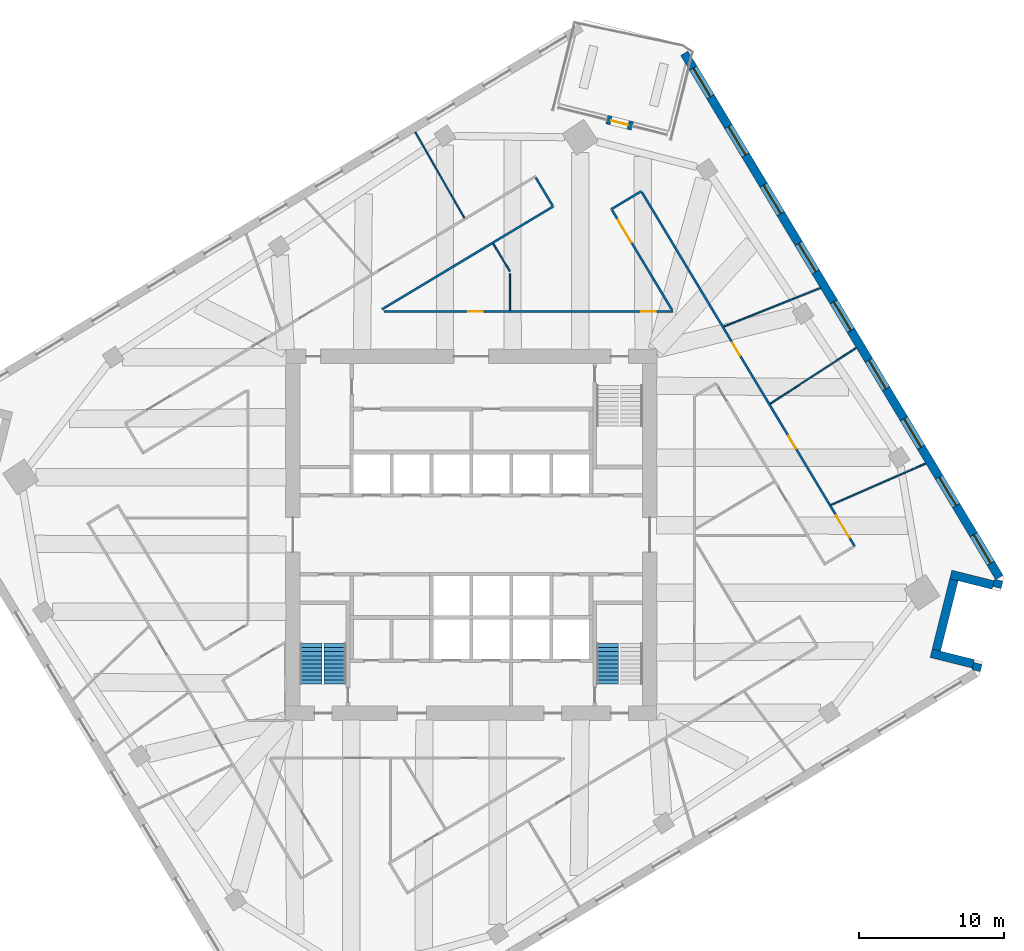
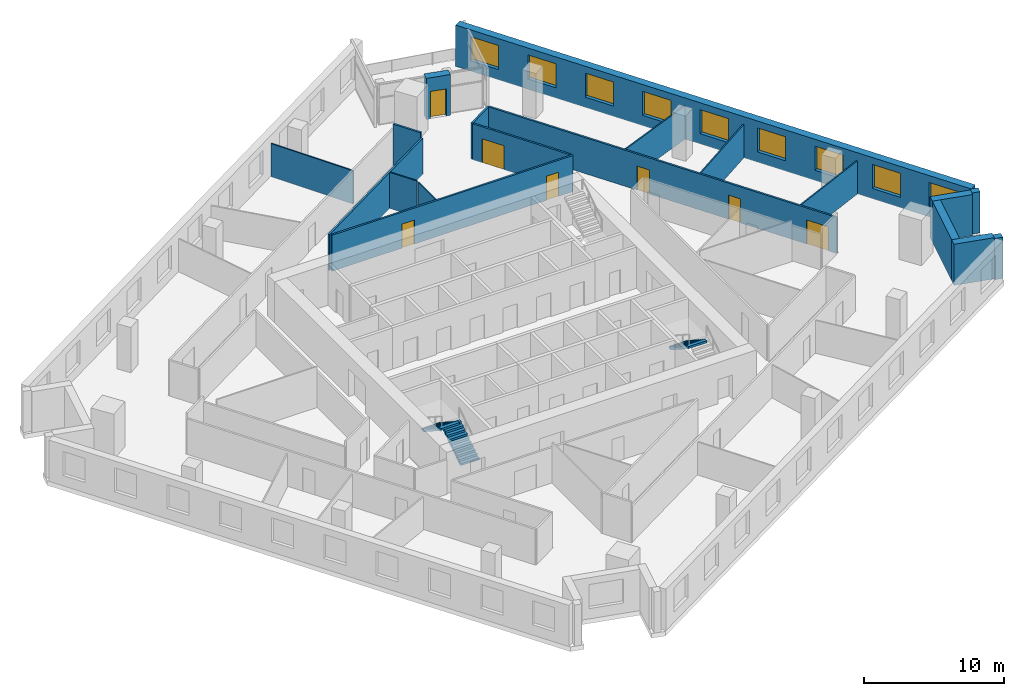
# One storey, part 10 of 14: 19 walls, 9 windows, 7 doors, 3 stair flights, 16 openings, 2 elements without a shape of their own.
"""IFC4 building model written with IfcOpenShell, lengths in metres."""

from ifc_helpers import new_model, si_unit, direction, frame, frame_2d, origin, place, context, subcontext, project, spatial, polyline, rectangle, outline, extrude, material, layer, layer_set, type_object, element, fill, aggregate, save


model = new_model("IFC4")

# Units and contexts
model_context = context("Model", 3, precision=1e-05, world=origin(), true_north=direction((0.0, 1.0)))
body_context = subcontext(model_context, "Body", "Model", "MODEL_VIEW")
ifc_project = project(units=[si_unit("LENGTHUNIT", "METRE"), si_unit("AREAUNIT", "SQUARE_METRE"), si_unit("VOLUMEUNIT", "CUBIC_METRE"), si_unit("PLANEANGLEUNIT", "RADIAN"), si_unit("MASSUNIT", "GRAM", prefix="KILO")], contexts=[model_context])

# Site, building, storey
site_placement = place(None, origin())
site = spatial("IfcSite", under=ifc_project, at=site_placement, CompositionType="ELEMENT")
building_placement = place(site_placement, origin())
building = spatial("IfcBuilding", under=site, at=building_placement, Name="Dilmun Exchange Tower", CompositionType="ELEMENT")
storey_placement = place(building_placement, frame((0.0, 0.0, 147.699951171875)))
storey = spatial("IfcBuildingStorey", under=building, at=storey_placement, Name="L34", CompositionType="ELEMENT", Elevation=147.699951171875)

# Wall
ifc_material_1 = material(Name="Corridor wall 150")
ifc_layer_1 = layer(ifc_material_1, 0.14990234375)
ifc_layer_set_1 = layer_set([ifc_layer_1], Name="Corridor wall 150")
wall_type_1 = type_object("IfcWallType", Name="Corridor wall 150", PredefinedType="PARTITIONING", material=ifc_layer_set_1)
wall_1_placement = place(storey_placement, frame((-6.15966796875, 15.5517578125, 0.0), z_axis=(0.0, 0.0, 1.0), x_axis=(0.857176686564, 0.51502245389, 0.0)))
element("IfcWall", 1, at=wall_1_placement, inside=storey, type_object=wall_type_1, Name="Corridor wall", PredefinedType="PARTITIONING", context=body_context, shape_type="SweptSolid", body=[
    extrude(rectangle(XDim=13.76708984375, YDim=0.14990234375, at=frame_2d((6.883544921875, 0.0))), origin(), (0.0, 0.0, 1.0), 3.150146484375),
])

# Wall, openings, doors
wall_2_placement = place(storey_placement, frame((-6.023193359375, 15.39990234375, 0.0), z_axis=(0.0, 0.0, 1.0), x_axis=(1.0, 0.0, 0.0)))
wall_2 = element("IfcWall", 2, at=wall_2_placement, inside=storey, type_object=wall_type_1, Name="Corridor wall", PredefinedType="PARTITIONING", context=body_context, shape_type="SweptSolid", body=[
    extrude(rectangle(XDim=19.93115234375, YDim=0.14990234375, at=frame_2d((9.965576171875, 0.0))), origin(), (0.0, 0.0, 1.0), 3.150146484375),
])
opening_1_placement = place(wall_2_placement, frame((5.800048828125, 0.0, 0.0)))
opening_1 = element("IfcOpeningElement", 3, at=opening_1_placement, cuts=wall_2, Name="Opening TF34-D12", PredefinedType="OPENING", context=body_context, shape_type="SweptSolid", body=[
    extrude(rectangle(XDim=1.0, YDim=2.10009765625, at=frame_2d((0.5, 1.050048828125))), frame((0.0, 0.0849609375, 0.0), z_axis=(0.0, -1.0, 0.0), x_axis=(1.0, 0.0, 0.0)), (0.0, 0.0, 1.0), 0.169921875),
])
opening_2_placement = place(wall_2_placement, frame((17.730224609375, 0.0, 0.0)))
opening_2 = element("IfcOpeningElement", 4, at=opening_2_placement, cuts=wall_2, Name="Opening TF34-D15", PredefinedType="OPENING", context=body_context, shape_type="SweptSolid", body=[
    extrude(rectangle(XDim=1.0, YDim=2.10009765625, at=frame_2d((0.5, 1.050048828125))), frame((0.0, 0.0849609375, 0.0), z_axis=(0.0, -1.0, 0.0), x_axis=(1.0, 0.0, 0.0)), (0.0, 0.0, 1.0), 0.169921875),
])
ifc_material_2 = material(Name="Fire door 1000 x 2100")
door_type_1 = type_object("IfcDoorType", Name="Fire door 1000 x 2100", OperationType="NOTDEFINED", PredefinedType="DOOR", material=ifc_material_2)
door_1_placement = place(opening_1_placement, origin())
door_1 = element("IfcDoor", 5, at=door_1_placement, inside=storey, type_object=door_type_1, Name="Door TF34-D12", OperationType="SINGLE_SWING_RIGHT", OverallHeight=2.10009765625, OverallWidth=1.0, PredefinedType="DOOR", context=body_context, shape_type="SweptSolid", body=[
    extrude(rectangle(XDim=1.0, YDim=2.10009765625, at=frame_2d((0.5, 1.050048828125))), frame((0.0, 0.02490234375, 0.0), z_axis=(0.0, -1.0, 0.0), x_axis=(1.0, 0.0, 0.0)), (0.0, 0.0, 1.0), 0.050048828125),
])
fill(opening_1, door_1)
door_2_placement = place(opening_2_placement, origin())
door_2 = element("IfcDoor", 6, at=door_2_placement, inside=storey, type_object=door_type_1, Name="Door TF34-D15", OperationType="SINGLE_SWING_RIGHT", OverallHeight=2.10009765625, OverallWidth=1.0, PredefinedType="DOOR", context=body_context, shape_type="SweptSolid", body=[
    extrude(rectangle(XDim=1.0, YDim=2.10009765625, at=frame_2d((0.5, 1.050048828125))), frame((0.0, 0.02490234375, 0.0), z_axis=(0.0, -1.0, 0.0), x_axis=(1.0, 0.0, 0.0)), (0.0, 0.0, 1.0), 0.050048828125),
])
fill(opening_2, door_2)

# Walls
wall_3_placement = place(storey_placement, frame((4.443603515625, 24.6357421875, 0.0), z_axis=(0.0, 0.0, 1.0), x_axis=(0.514830717933, -0.857291859213, 0.0)))
element("IfcWall", 7, at=wall_3_placement, inside=storey, type_object=wall_type_1, Name="Corridor wall", PredefinedType="PARTITIONING", context=body_context, shape_type="SweptSolid", body=[
    extrude(rectangle(XDim=2.250732421875, YDim=0.14990234375, at=frame_2d((1.12548828125, 0.0))), origin(), (0.0, 0.0, 1.0), 3.60009765625),
])
wall_4_placement = place(storey_placement, frame((9.6650390625, 22.4609375, 0.0), z_axis=(0.0, 0.0, 1.0), x_axis=(0.857133645358, 0.515094082664, 0.0)))
element("IfcWall", 8, at=wall_4_placement, inside=storey, type_object=wall_type_1, Name="Corridor wall", PredefinedType="PARTITIONING", context=body_context, shape_type="SweptSolid", body=[
    extrude(rectangle(XDim=2.399658203125, YDim=0.14990234375, at=frame_2d((1.19970703125, 0.0))), origin(), (0.0, 0.0, 1.0), 3.150146484375),
])

# Wall, opening, door
wall_5_placement = place(storey_placement, frame((9.70361328125, 22.396728515625, 0.0), z_axis=(0.0, 0.0, 1.0), x_axis=(0.51505899604, -0.857154729671, 0.0)))
wall_5 = element("IfcWall", 9, at=wall_5_placement, inside=storey, type_object=wall_type_1, Name="Corridor wall", PredefinedType="PARTITIONING", context=body_context, shape_type="SweptSolid", body=[
    extrude(rectangle(XDim=8.030029296875, YDim=0.14990234375, at=frame_2d((4.01513671875, 0.0))), origin(), (0.0, 0.0, 1.0), 3.150146484375),
])
opening_3_placement = place(wall_5_placement, frame((0.800048828125, 0.0, 0.0)))
opening_3 = element("IfcOpeningElement", 10, at=opening_3_placement, cuts=wall_5, Name="Opening TF34-D14", PredefinedType="OPENING", context=body_context, shape_type="SweptSolid", body=[
    extrude(rectangle(XDim=1.800048828125, YDim=2.10009765625, at=frame_2d((0.89990234375, 1.050048828125))), frame((0.0, 0.0849609375, 0.0), z_axis=(0.0, -1.0, 0.0), x_axis=(1.0, 0.0, 0.0)), (0.0, 0.0, 1.0), 0.169921875),
])
ifc_material_3 = material(Name="Fire door pair 1800 x 2100")
door_type_2 = type_object("IfcDoorType", Name="Fire door pair 1800 x 2100", OperationType="NOTDEFINED", PredefinedType="DOOR", material=ifc_material_3)
door_3_placement = place(opening_3_placement, frame((1.800048828125, 0.0, 0.0), z_axis=(0.0, 0.0, 1.0), x_axis=(-1.0, 0.0, 0.0)))
door_3 = element("IfcDoor", 11, at=door_3_placement, inside=storey, type_object=door_type_2, Name="Door TF34-D14", OperationType="DOUBLE_DOOR_SINGLE_SWING", OverallHeight=2.10009765625, OverallWidth=1.800048828125, PredefinedType="DOOR", context=body_context, shape_type="SweptSolid", body=[
    extrude(rectangle(XDim=1.800048828125, YDim=2.10009765625, at=frame_2d((0.89990234375, 1.050048828125))), frame((0.0, 0.02490234375, 0.0), z_axis=(0.0, -1.0, 0.0), x_axis=(1.0, 0.0, 0.0)), (0.0, 0.0, 1.0), 0.050048828125),
])
fill(opening_3, door_3)

# Wall, openings, doors
wall_6_placement = place(storey_placement, frame((11.760498046875, 23.6328125, 0.0), z_axis=(0.0, 0.0, 1.0), x_axis=(0.515060503771, -0.857153823684, 0.0)))
wall_6 = element("IfcWall", 12, at=wall_6_placement, inside=storey, type_object=wall_type_1, Name="Corridor wall", PredefinedType="PARTITIONING", context=body_context, shape_type="SweptSolid", body=[
    extrude(rectangle(XDim=28.475341796875, YDim=0.14990234375, at=frame_2d((14.23779296875, 0.0))), origin(), (0.0, 0.0, 1.0), 3.150146484375),
])
opening_4_placement = place(wall_6_placement, frame((12.149169921875, 0.0, 0.0)))
opening_4 = element("IfcOpeningElement", 13, at=opening_4_placement, cuts=wall_6, Name="Opening TF34-D21", PredefinedType="OPENING", context=body_context, shape_type="SweptSolid", body=[
    extrude(rectangle(XDim=1.0, YDim=2.10009765625, at=frame_2d((0.5, 1.050048828125))), frame((0.0, 0.0849609375, 0.0), z_axis=(0.0, -1.0, 0.0), x_axis=(1.0, 0.0, 0.0)), (0.0, 0.0, 1.0), 0.169921875),
])
opening_5_placement = place(wall_6_placement, frame((19.620361328125, 0.0, 0.0)))
opening_5 = element("IfcOpeningElement", 14, at=opening_5_placement, cuts=wall_6, Name="Opening TF34-D22", PredefinedType="OPENING", context=body_context, shape_type="SweptSolid", body=[
    extrude(rectangle(XDim=1.0, YDim=2.10009765625, at=frame_2d((0.5, 1.050048828125))), frame((0.0, 0.0849609375, 0.0), z_axis=(0.0, -1.0, 0.0), x_axis=(1.0, 0.0, 0.0)), (0.0, 0.0, 1.0), 0.169921875),
])
opening_6_placement = place(wall_6_placement, frame((26.005126953125, 0.0, 0.0)))
opening_6 = element("IfcOpeningElement", 15, at=opening_6_placement, cuts=wall_6, Name="Opening TF34-D23", PredefinedType="OPENING", context=body_context, shape_type="SweptSolid", body=[
    extrude(rectangle(XDim=1.800048828125, YDim=2.10009765625, at=frame_2d((0.89990234375, 1.050048828125))), frame((0.0, 0.0849609375, 0.0), z_axis=(0.0, -1.0, 0.0), x_axis=(1.0, 0.0, 0.0)), (0.0, 0.0, 1.0), 0.169921875),
])
door_4_placement = place(opening_4_placement, origin())
door_4 = element("IfcDoor", 16, at=door_4_placement, inside=storey, type_object=door_type_1, Name="Door TF34-D21", OperationType="SINGLE_SWING_LEFT", OverallHeight=2.10009765625, OverallWidth=1.0, PredefinedType="DOOR", context=body_context, shape_type="SweptSolid", body=[
    extrude(rectangle(XDim=1.0, YDim=2.10009765625, at=frame_2d((0.5, 1.050048828125))), frame((0.0, 0.02490234375, 0.0), z_axis=(0.0, -1.0, 0.0), x_axis=(1.0, 0.0, 0.0)), (0.0, 0.0, 1.0), 0.050048828125),
])
fill(opening_4, door_4)
door_5_placement = place(opening_5_placement, origin())
door_5 = element("IfcDoor", 17, at=door_5_placement, inside=storey, type_object=door_type_1, Name="Door TF34-D22", OperationType="SINGLE_SWING_LEFT", OverallHeight=2.10009765625, OverallWidth=1.0, PredefinedType="DOOR", context=body_context, shape_type="SweptSolid", body=[
    extrude(rectangle(XDim=1.0, YDim=2.10009765625, at=frame_2d((0.5, 1.050048828125))), frame((0.0, 0.02490234375, 0.0), z_axis=(0.0, -1.0, 0.0), x_axis=(1.0, 0.0, 0.0)), (0.0, 0.0, 1.0), 0.050048828125),
])
fill(opening_5, door_5)
door_6_placement = place(opening_6_placement, origin())
door_6 = element("IfcDoor", 18, at=door_6_placement, inside=storey, type_object=door_type_2, Name="Door TF34-D23", OperationType="DOUBLE_DOOR_SINGLE_SWING", OverallHeight=2.10009765625, OverallWidth=1.800048828125, PredefinedType="DOOR", context=body_context, shape_type="SweptSolid", body=[
    extrude(rectangle(XDim=1.800048828125, YDim=2.10009765625, at=frame_2d((0.89990234375, 1.050048828125))), frame((0.0, 0.02490234375, 0.0), z_axis=(0.0, -1.0, 0.0), x_axis=(1.0, 0.0, 0.0)), (0.0, 0.0, 1.0), 0.050048828125),
])
fill(opening_6, door_6)

# Walls
ifc_material_4 = material(Name="Partition 100")
ifc_layer_2 = layer(ifc_material_4, 0.10009765625)
ifc_layer_set_2 = layer_set([ifc_layer_2], Name="Partition 100")
wall_type_2 = type_object("IfcWallType", Name="Partition 100", PredefinedType="PARTITIONING", material=ifc_layer_set_2)
wall_7_placement = place(storey_placement, frame((-3.86865234375, 27.772216796875, 0.0), z_axis=(0.0, 0.0, 1.0), x_axis=(0.496921350826, -0.867795581398, 0.0)))
element("IfcWall", 19, at=wall_7_placement, inside=storey, type_object=wall_type_2, Name="Partition", PredefinedType="PARTITIONING", context=body_context, shape_type="SweptSolid", body=[
    extrude(rectangle(XDim=6.81982421875, YDim=0.10009765625, at=frame_2d((3.409912109375, 0.0))), origin(), (0.0, 0.0, 1.0), 2.900146484375),
])
wall_8_placement = place(storey_placement, frame((1.515625, 20.07568359375, 0.0), z_axis=(0.0, 0.0, 1.0), x_axis=(0.515208669109, -0.857064774259, 0.0)))
element("IfcWall", 20, at=wall_8_placement, inside=storey, type_object=wall_type_2, Name="Partition", PredefinedType="PARTITIONING", context=body_context, shape_type="SweptSolid", body=[
    extrude(rectangle(XDim=2.21533203125, YDim=0.10009765625, at=frame_2d((1.107666015625, 0.0))), origin(), (0.0, 0.0, 1.0), 3.150146484375),
])
wall_9_placement = place(storey_placement, frame((2.656982421875, 15.47509765625, 0.0), z_axis=(0.0, 0.0, 1.0), x_axis=(0.0, 1.0, 0.0)))
element("IfcWall", 21, at=wall_9_placement, inside=storey, type_object=wall_type_2, Name="Partition", PredefinedType="PARTITIONING", context=body_context, shape_type="SweptSolid", body=[
    extrude(rectangle(XDim=2.521728515625, YDim=0.10009765625, at=frame_2d((1.2607421875, 0.0))), origin(), (0.0, 0.0, 1.0), 3.150146484375),
])
wall_10_placement = place(storey_placement, frame((17.427001953125, 14.3642578125, 0.0), z_axis=(0.0, 0.0, 1.0), x_axis=(0.928344828439, 0.371720162906, 0.0)))
element("IfcWall", 22, at=wall_10_placement, inside=storey, type_object=wall_type_2, Name="Partition", PredefinedType="PARTITIONING", context=body_context, shape_type="SweptSolid", body=[
    extrude(rectangle(XDim=7.15380859375, YDim=0.10009765625, at=frame_2d((3.576904296875, 0.0))), origin(), (0.0, 0.0, 1.0), 2.900146484375),
])
wall_11_placement = place(storey_placement, frame((20.618408203125, 9.041748046875, 0.0), z_axis=(0.0, 0.0, 1.0), x_axis=(0.838556384035, 0.544814822479, 0.0)))
element("IfcWall", 23, at=wall_11_placement, inside=storey, type_object=wall_type_2, Name="Partition", PredefinedType="PARTITIONING", context=body_context, shape_type="SweptSolid", body=[
    extrude(rectangle(XDim=7.072265625, YDim=0.10009765625, at=frame_2d((3.5361328125, 0.0))), origin(), (0.0, 0.0, 1.0), 2.900146484375),
])
wall_12_placement = place(storey_placement, frame((24.818115234375, 2.060791015625, 0.0), z_axis=(0.0, 0.0, 1.0), x_axis=(0.915839969102, 0.401543460905, 0.0)))
element("IfcWall", 24, at=wall_12_placement, inside=storey, type_object=wall_type_2, Name="Partition", PredefinedType="PARTITIONING", context=body_context, shape_type="SweptSolid", body=[
    extrude(rectangle(XDim=7.12158203125, YDim=0.10009765625, at=frame_2d((3.560791015625, 0.0))), origin(), (0.0, 0.0, 1.0), 2.900146484375),
])
ifc_material_5 = material(Name="Precast concrete C50/60", Category="concrete")
ifc_layer_3 = layer(ifc_material_5, 0.60009765625)
ifc_layer_set_3 = layer_set([ifc_layer_3], Name="Precast concrete C50/60")
wall_type_3 = type_object("IfcWallType", Name="Precast stone-clad wall 600", PredefinedType="STANDARD", material=ifc_layer_set_3)
wall_13_placement = place(storey_placement, frame((34.8134765625, -9.3662109375, 0.0), z_axis=(0.0, 0.0, 1.0), x_axis=(0.242086198947, 0.970254746074, 0.0)))
element("IfcWall", 25, at=wall_13_placement, inside=storey, type_object=wall_type_3, Name="Facade wall L34-16", PredefinedType="STANDARD", context=body_context, shape_type="SweptSolid", body=[
    extrude(rectangle(XDim=0.51123046875, YDim=0.60009765625, at=frame_2d((0.255615234375, 0.0))), origin(), (0.0, 0.0, 1.0), 3.60009765625),
])
wall_14_placement = place(storey_placement, frame((34.6220703125, -8.894287109375, 0.0), z_axis=(0.0, 0.0, 1.0), x_axis=(-0.970309818485, 0.241865367822, 0.0)))
element("IfcWall", 26, at=wall_14_placement, inside=storey, type_object=wall_type_3, Name="Facade wall L34-17", PredefinedType="STANDARD", context=body_context, shape_type="SweptSolid", body=[
    extrude(rectangle(XDim=3.0, YDim=0.60009765625, at=frame_2d((1.5, 0.0))), origin(), (0.0, 0.0, 1.0), 3.60009765625),
])
wall_15_placement = place(storey_placement, frame((32.07470703125, -7.9501953125, 0.0), z_axis=(0.0, 0.0, 1.0), x_axis=(0.241892195562, 0.970303130844, 0.0)))
element("IfcWall", 27, at=wall_15_placement, inside=storey, type_object=wall_type_3, Name="Facade wall L34-18", PredefinedType="STANDARD", context=body_context, shape_type="SweptSolid", body=[
    extrude(rectangle(XDim=5.0, YDim=0.60009765625, at=frame_2d((2.5, 0.0))), origin(), (0.0, 0.0, 1.0), 3.60009765625),
])
wall_16_placement = place(storey_placement, frame((33.06591796875, -2.735107421875, 0.0), z_axis=(0.0, 0.0, 1.0), x_axis=(0.970309818485, -0.241865367822, 0.0)))
element("IfcWall", 28, at=wall_16_placement, inside=storey, type_object=wall_type_3, Name="Facade wall L34-19", PredefinedType="STANDARD", context=body_context, shape_type="SweptSolid", body=[
    extrude(rectangle(XDim=3.0, YDim=0.60009765625, at=frame_2d((1.5, 0.0))), origin(), (0.0, 0.0, 1.0), 3.60009765625),
])
wall_17_placement = place(storey_placement, frame((36.24365234375, -3.63037109375, 0.0), z_axis=(0.0, 0.0, 1.0), x_axis=(0.241636616978, 0.970366809683, 0.0)))
element("IfcWall", 29, at=wall_17_placement, inside=storey, type_object=wall_type_3, Name="Facade wall L34-20", PredefinedType="STANDARD", context=body_context, shape_type="SweptSolid", body=[
    extrude(rectangle(XDim=0.51123046875, YDim=0.60009765625, at=frame_2d((0.255615234375, 0.0))), origin(), (0.0, 0.0, 1.0), 3.60009765625),
])

# Wall, openings, windows
wall_18_placement = place(storey_placement, frame((36.415771484375, -2.940185546875, 0.0), z_axis=(0.0, 0.0, 1.0), x_axis=(-0.515039615037, 0.857166375299, 0.0)))
wall_18 = element("IfcWall", 30, at=wall_18_placement, inside=storey, type_object=wall_type_3, Name="Facade wall L34-21", PredefinedType="STANDARD", context=body_context, shape_type="SweptSolid", body=[
    extrude(rectangle(XDim=42.17578125, YDim=0.60009765625, at=frame_2d((21.087890625, 0.0))), origin(), (0.0, 0.0, 1.0), 3.60009765625),
])
opening_7_placement = place(wall_18_placement, frame((1.137939453125, 0.0, 0.89990234375)))
opening_7 = element("IfcOpeningElement", 31, at=opening_7_placement, cuts=wall_18, Name="Opening W230-210", PredefinedType="OPENING", context=body_context, shape_type="SweptSolid", body=[
    extrude(rectangle(XDim=2.300048828125, YDim=2.10009765625, at=frame_2d((1.14990234375, 1.050048828125))), frame((0.0, 0.31005859375, 0.0), z_axis=(0.0, -1.0, 0.0), x_axis=(1.0, 0.0, 0.0)), (0.0, 0.0, 1.0), 0.6201171875),
])
opening_8_placement = place(wall_18_placement, frame((5.775634765625, 0.0, 0.89990234375)))
opening_8 = element("IfcOpeningElement", 32, at=opening_8_placement, cuts=wall_18, Name="Opening W230-210", PredefinedType="OPENING", context=body_context, shape_type="SweptSolid", body=[
    extrude(rectangle(XDim=2.300048828125, YDim=2.10009765625, at=frame_2d((1.14990234375, 1.050048828125))), frame((0.0, 0.31005859375, 0.0), z_axis=(0.0, -1.0, 0.0), x_axis=(1.0, 0.0, 0.0)), (0.0, 0.0, 1.0), 0.6201171875),
])
opening_9_placement = place(wall_18_placement, frame((10.4755859375, 0.0, 0.89990234375)))
opening_9 = element("IfcOpeningElement", 33, at=opening_9_placement, cuts=wall_18, Name="Opening W230-210", PredefinedType="OPENING", context=body_context, shape_type="SweptSolid", body=[
    extrude(rectangle(XDim=2.300048828125, YDim=2.10009765625, at=frame_2d((1.14990234375, 1.050048828125))), frame((0.0, 0.31005859375, 0.0), z_axis=(0.0, -1.0, 0.0), x_axis=(1.0, 0.0, 0.0)), (0.0, 0.0, 1.0), 0.6201171875),
])
opening_10_placement = place(wall_18_placement, frame((15.17578125, 0.0, 0.89990234375)))
opening_10 = element("IfcOpeningElement", 34, at=opening_10_placement, cuts=wall_18, Name="Opening W230-210", PredefinedType="OPENING", context=body_context, shape_type="SweptSolid", body=[
    extrude(rectangle(XDim=2.300048828125, YDim=2.10009765625, at=frame_2d((1.14990234375, 1.050048828125))), frame((0.0, 0.31005859375, 0.0), z_axis=(0.0, -1.0, 0.0), x_axis=(1.0, 0.0, 0.0)), (0.0, 0.0, 1.0), 0.6201171875),
])
opening_11_placement = place(wall_18_placement, frame((19.875732421875, 0.0, 0.89990234375)))
opening_11 = element("IfcOpeningElement", 35, at=opening_11_placement, cuts=wall_18, Name="Opening W230-210", PredefinedType="OPENING", context=body_context, shape_type="SweptSolid", body=[
    extrude(rectangle(XDim=2.300048828125, YDim=2.10009765625, at=frame_2d((1.14990234375, 1.050048828125))), frame((0.0, 0.31005859375, 0.0), z_axis=(0.0, -1.0, 0.0), x_axis=(1.0, 0.0, 0.0)), (0.0, 0.0, 1.0), 0.6201171875),
])
opening_12_placement = place(wall_18_placement, frame((24.57568359375, 0.0, 0.89990234375)))
opening_12 = element("IfcOpeningElement", 36, at=opening_12_placement, cuts=wall_18, Name="Opening W230-210", PredefinedType="OPENING", context=body_context, shape_type="SweptSolid", body=[
    extrude(rectangle(XDim=2.300048828125, YDim=2.10009765625, at=frame_2d((1.14990234375, 1.050048828125))), frame((0.0, 0.31005859375, 0.0), z_axis=(0.0, -1.0, 0.0), x_axis=(1.0, 0.0, 0.0)), (0.0, 0.0, 1.0), 0.6201171875),
])
opening_13_placement = place(wall_18_placement, frame((29.275634765625, 0.0, 0.89990234375)))
opening_13 = element("IfcOpeningElement", 37, at=opening_13_placement, cuts=wall_18, Name="Opening W230-210", PredefinedType="OPENING", context=body_context, shape_type="SweptSolid", body=[
    extrude(rectangle(XDim=2.300048828125, YDim=2.10009765625, at=frame_2d((1.14990234375, 1.050048828125))), frame((0.0, 0.31005859375, 0.0), z_axis=(0.0, -1.0, 0.0), x_axis=(1.0, 0.0, 0.0)), (0.0, 0.0, 1.0), 0.6201171875),
])
opening_14_placement = place(wall_18_placement, frame((33.9755859375, 0.0, 0.89990234375)))
opening_14 = element("IfcOpeningElement", 38, at=opening_14_placement, cuts=wall_18, Name="Opening W230-210", PredefinedType="OPENING", context=body_context, shape_type="SweptSolid", body=[
    extrude(rectangle(XDim=2.300048828125, YDim=2.10009765625, at=frame_2d((1.14990234375, 1.050048828125))), frame((0.0, 0.31005859375, 0.0), z_axis=(0.0, -1.0, 0.0), x_axis=(1.0, 0.0, 0.0)), (0.0, 0.0, 1.0), 0.6201171875),
])
opening_15_placement = place(wall_18_placement, frame((38.67578125, 0.0, 0.89990234375)))
opening_15 = element("IfcOpeningElement", 39, at=opening_15_placement, cuts=wall_18, Name="Opening W230-210", PredefinedType="OPENING", context=body_context, shape_type="SweptSolid", body=[
    extrude(rectangle(XDim=2.300048828125, YDim=2.10009765625, at=frame_2d((1.14990234375, 1.050048828125))), frame((0.0, 0.31005859375, 0.0), z_axis=(0.0, -1.0, 0.0), x_axis=(1.0, 0.0, 0.0)), (0.0, 0.0, 1.0), 0.6201171875),
])
ifc_material_6 = material(Name="Clear low-emissivity glass in aluminium frame", Category="aluminium")
window_type = type_object("IfcWindowType", Name="Punched window 2300 x 2100", PartitioningType="DOUBLE_PANEL_VERTICAL", PredefinedType="WINDOW", material=ifc_material_6)
window_1_placement = place(opening_7_placement, origin())
window_1 = element("IfcWindow", 40, at=window_1_placement, inside=storey, type_object=window_type, Name="Window 22.1", OverallHeight=2.10009765625, OverallWidth=2.300048828125, PartitioningType="SINGLE_PANEL", PredefinedType="WINDOW", context=body_context, shape_type="SweptSolid", body=[
    extrude(rectangle(XDim=2.300048828125, YDim=2.10009765625, at=frame_2d((1.14990234375, 1.050048828125))), frame((0.0, 0.030029296875, 0.0), z_axis=(0.0, -1.0, 0.0), x_axis=(1.0, 0.0, 0.0)), (0.0, 0.0, 1.0), 0.06005859375),
])
fill(opening_7, window_1)
window_2_placement = place(opening_8_placement, origin())
window_2 = element("IfcWindow", 41, at=window_2_placement, inside=storey, type_object=window_type, Name="Window 22.2", OverallHeight=2.10009765625, OverallWidth=2.300048828125, PartitioningType="SINGLE_PANEL", PredefinedType="WINDOW", context=body_context, shape_type="SweptSolid", body=[
    extrude(rectangle(XDim=2.300048828125, YDim=2.10009765625, at=frame_2d((1.14990234375, 1.050048828125))), frame((0.0, 0.030029296875, 0.0), z_axis=(0.0, -1.0, 0.0), x_axis=(1.0, 0.0, 0.0)), (0.0, 0.0, 1.0), 0.06005859375),
])
fill(opening_8, window_2)
window_3_placement = place(opening_9_placement, origin())
window_3 = element("IfcWindow", 42, at=window_3_placement, inside=storey, type_object=window_type, Name="Window 22.3", OverallHeight=2.10009765625, OverallWidth=2.300048828125, PartitioningType="SINGLE_PANEL", PredefinedType="WINDOW", context=body_context, shape_type="SweptSolid", body=[
    extrude(rectangle(XDim=2.300048828125, YDim=2.10009765625, at=frame_2d((1.14990234375, 1.050048828125))), frame((0.0, 0.030029296875, 0.0), z_axis=(0.0, -1.0, 0.0), x_axis=(1.0, 0.0, 0.0)), (0.0, 0.0, 1.0), 0.06005859375),
])
fill(opening_9, window_3)
window_4_placement = place(opening_10_placement, origin())
window_4 = element("IfcWindow", 43, at=window_4_placement, inside=storey, type_object=window_type, Name="Window 22.4", OverallHeight=2.10009765625, OverallWidth=2.300048828125, PartitioningType="SINGLE_PANEL", PredefinedType="WINDOW", context=body_context, shape_type="SweptSolid", body=[
    extrude(rectangle(XDim=2.300048828125, YDim=2.10009765625, at=frame_2d((1.14990234375, 1.050048828125))), frame((0.0, 0.030029296875, 0.0), z_axis=(0.0, -1.0, 0.0), x_axis=(1.0, 0.0, 0.0)), (0.0, 0.0, 1.0), 0.06005859375),
])
fill(opening_10, window_4)
window_5_placement = place(opening_11_placement, origin())
window_5 = element("IfcWindow", 44, at=window_5_placement, inside=storey, type_object=window_type, Name="Window 22.5", OverallHeight=2.10009765625, OverallWidth=2.300048828125, PartitioningType="SINGLE_PANEL", PredefinedType="WINDOW", context=body_context, shape_type="SweptSolid", body=[
    extrude(rectangle(XDim=2.300048828125, YDim=2.10009765625, at=frame_2d((1.14990234375, 1.050048828125))), frame((0.0, 0.030029296875, 0.0), z_axis=(0.0, -1.0, 0.0), x_axis=(1.0, 0.0, 0.0)), (0.0, 0.0, 1.0), 0.06005859375),
])
fill(opening_11, window_5)
window_6_placement = place(opening_12_placement, origin())
window_6 = element("IfcWindow", 45, at=window_6_placement, inside=storey, type_object=window_type, Name="Window 22.6", OverallHeight=2.10009765625, OverallWidth=2.300048828125, PartitioningType="SINGLE_PANEL", PredefinedType="WINDOW", context=body_context, shape_type="SweptSolid", body=[
    extrude(rectangle(XDim=2.300048828125, YDim=2.10009765625, at=frame_2d((1.14990234375, 1.050048828125))), frame((0.0, 0.030029296875, 0.0), z_axis=(0.0, -1.0, 0.0), x_axis=(1.0, 0.0, 0.0)), (0.0, 0.0, 1.0), 0.06005859375),
])
fill(opening_12, window_6)
window_7_placement = place(opening_13_placement, origin())
window_7 = element("IfcWindow", 46, at=window_7_placement, inside=storey, type_object=window_type, Name="Window 22.7", OverallHeight=2.10009765625, OverallWidth=2.300048828125, PartitioningType="SINGLE_PANEL", PredefinedType="WINDOW", context=body_context, shape_type="SweptSolid", body=[
    extrude(rectangle(XDim=2.300048828125, YDim=2.10009765625, at=frame_2d((1.14990234375, 1.050048828125))), frame((0.0, 0.030029296875, 0.0), z_axis=(0.0, -1.0, 0.0), x_axis=(1.0, 0.0, 0.0)), (0.0, 0.0, 1.0), 0.06005859375),
])
fill(opening_13, window_7)
window_8_placement = place(opening_14_placement, origin())
window_8 = element("IfcWindow", 47, at=window_8_placement, inside=storey, type_object=window_type, Name="Window 22.8", OverallHeight=2.10009765625, OverallWidth=2.300048828125, PartitioningType="SINGLE_PANEL", PredefinedType="WINDOW", context=body_context, shape_type="SweptSolid", body=[
    extrude(rectangle(XDim=2.300048828125, YDim=2.10009765625, at=frame_2d((1.14990234375, 1.050048828125))), frame((0.0, 0.030029296875, 0.0), z_axis=(0.0, -1.0, 0.0), x_axis=(1.0, 0.0, 0.0)), (0.0, 0.0, 1.0), 0.06005859375),
])
fill(opening_14, window_8)
window_9_placement = place(opening_15_placement, origin())
window_9 = element("IfcWindow", 48, at=window_9_placement, inside=storey, type_object=window_type, Name="Window 22.9", OverallHeight=2.10009765625, OverallWidth=2.300048828125, PartitioningType="SINGLE_PANEL", PredefinedType="WINDOW", context=body_context, shape_type="SweptSolid", body=[
    extrude(rectangle(XDim=2.300048828125, YDim=2.10009765625, at=frame_2d((1.14990234375, 1.050048828125))), frame((0.0, 0.030029296875, 0.0), z_axis=(0.0, -1.0, 0.0), x_axis=(1.0, 0.0, 0.0)), (0.0, 0.0, 1.0), 0.06005859375),
])
fill(opening_15, window_9)

# Wall, opening, door
wall_19_placement = place(storey_placement, frame((11.096923828125, 28.1982421875, 0.0), z_axis=(0.0, 0.0, 1.0), x_axis=(-0.970277994717, 0.241993001898, 0.0)))
wall_19 = element("IfcWall", 49, at=wall_19_placement, inside=storey, type_object=wall_type_3, Name="Facade wall L34-01-D", PredefinedType="STANDARD", context=body_context, shape_type="SweptSolid", body=[
    extrude(rectangle(XDim=1.7998046875, YDim=0.60009765625, at=frame_2d((0.89990234375, 0.0))), origin(), (0.0, 0.0, 1.0), 3.60009765625),
])
opening_16_placement = place(wall_19_placement, frame((0.300048828125, 0.0, 0.0)))
opening_16 = element("IfcOpeningElement", 50, at=opening_16_placement, cuts=wall_19, Name="Opening GD-1", PredefinedType="OPENING", context=body_context, shape_type="SweptSolid", body=[
    extrude(rectangle(XDim=1.199951171875, YDim=2.39990234375, at=frame_2d((0.60009765625, 1.199951171875))), frame((0.0, 0.31005859375, 0.0), z_axis=(0.0, -1.0, 0.0), x_axis=(1.0, 0.0, 0.0)), (0.0, 0.0, 1.0), 0.6201171875),
])
door_type_3 = type_object("IfcDoorType", Name="Glazed garden door 1200 x 2400", OperationType="SINGLE_SWING_LEFT", PredefinedType="DOOR", material=ifc_material_6)
door_7_placement = place(opening_16_placement, origin())
door_7 = element("IfcDoor", 51, at=door_7_placement, inside=storey, type_object=door_type_3, Name="Garden terrace door", OperationType="SINGLE_SWING_LEFT", OverallHeight=2.39990234375, OverallWidth=1.199951171875, PredefinedType="DOOR", context=body_context, shape_type="SweptSolid", body=[
    extrude(rectangle(XDim=1.199951171875, YDim=2.39990234375, at=frame_2d((0.60009765625, 1.199951171875))), frame((0.0, 0.02490234375, 0.0), z_axis=(0.0, -1.0, 0.0), x_axis=(1.0, 0.0, 0.0)), (0.0, 0.0, 1.0), 0.050048828125),
])
fill(opening_16, door_7)

# Stair, stair flights
ifc_material_7 = material(Name="Concrete C40/50", Category="concrete")
stair_type = type_object("IfcStairType", Name="Exit stair 1500 half-turn", PredefinedType="HALF_TURN_STAIR", material=ifc_material_7)
stair_1_placement = place(storey_placement, origin())
stair_1 = element("IfcStair", 52, at=stair_1_placement, inside=storey, type_object=stair_type, Name="L34 Protected exit stair ST2", PredefinedType="HALF_TURN_STAIR")
stair_flight_type = type_object("IfcStairFlightType", Name="Exit stair flight 1500", PredefinedType="STRAIGHT", material=ifc_material_7)
stair_flight_1_placement = place(storey_placement, frame((-9.39990234375, -10.300048828125, 0.0), z_axis=(0.0, 0.0, 1.0), x_axis=(0.0, 1.0, 0.0)))
stair_flight_1 = element("IfcStairFlight", 53, at=stair_flight_1_placement, type_object=stair_flight_type, Name="ST2 flight 1", NumberOfRisers=11, NumberOfTreads=10, PredefinedType="STRAIGHT", RiserHeight=0.181818182, TreadLength=0.28, context=body_context, shape_type="SweptSolid", body=[
    extrude(outline(polyline([(0.0, 0.0), (0.0, 0.181884765625), (0.280029296875, 0.181884765625), (0.280029296875, 0.363525390625), (0.56005859375, 0.363525390625), (0.56005859375, 0.54541015625), (0.840087890625, 0.54541015625), (0.840087890625, 0.727294921875), (1.1201171875, 0.727294921875), (1.1201171875, 0.9091796875), (1.39990234375, 0.9091796875), (1.39990234375, 1.0908203125), (1.679931640625, 1.0908203125), (1.679931640625, 1.272705078125), (1.9599609375, 1.272705078125), (1.9599609375, 1.45458984375), (2.239990234375, 1.45458984375), (2.239990234375, 1.636474609375), (2.52001953125, 1.636474609375), (2.52001953125, 1.818115234375), (2.800048828125, 1.818115234375), (2.800048828125, 2.0), (2.800048828125, 1.639404296875), (0.275146484375, 0.0), (0.0, 0.0)])), frame((0.0, 0.75, 0.0), z_axis=(0.0, -1.0, 0.0), x_axis=(1.0, 0.0, 0.0)), (0.0, 0.0, 1.0), 1.5),
])
stair_flight_2_placement = place(storey_placement, frame((-11.050048828125, -7.5, 2.0), z_axis=(0.0, 0.0, 1.0), x_axis=(0.0, -1.0, 0.0)))
stair_flight_2 = element("IfcStairFlight", 54, at=stair_flight_2_placement, type_object=stair_flight_type, Name="ST2 flight 2", NumberOfRisers=11, NumberOfTreads=10, PredefinedType="STRAIGHT", RiserHeight=0.181818182, TreadLength=0.28, context=body_context, shape_type="SweptSolid", body=[
    extrude(outline(polyline([(0.0, 0.0), (0.0, 0.181884765625), (0.280029296875, 0.181884765625), (0.280029296875, 0.363525390625), (0.56005859375, 0.363525390625), (0.56005859375, 0.54541015625), (0.840087890625, 0.54541015625), (0.840087890625, 0.727294921875), (1.1201171875, 0.727294921875), (1.1201171875, 0.9091796875), (1.39990234375, 0.9091796875), (1.39990234375, 1.0908203125), (1.679931640625, 1.0908203125), (1.679931640625, 1.272705078125), (1.9599609375, 1.272705078125), (1.9599609375, 1.45458984375), (2.239990234375, 1.45458984375), (2.239990234375, 1.636474609375), (2.52001953125, 1.636474609375), (2.52001953125, 1.818115234375), (2.800048828125, 1.818115234375), (2.800048828125, 2.0), (2.800048828125, 1.639404296875), (0.275146484375, 0.0), (0.0, 0.0)])), frame((0.0, 0.75, 0.0), z_axis=(0.0, -1.0, 0.0), x_axis=(1.0, 0.0, 0.0)), (0.0, 0.0, 1.0), 1.5),
])
aggregate(stair_1, [stair_flight_1, stair_flight_2])

# Stair, stair flight
stair_2_placement = place(storey_placement, origin())
stair_2 = element("IfcStair", 55, at=stair_2_placement, inside=storey, type_object=stair_type, Name="L34 Protected exit stair ST3", PredefinedType="HALF_TURN_STAIR")
stair_flight_3_placement = place(storey_placement, frame((9.39990234375, -7.5, 2.0), z_axis=(0.0, 0.0, 1.0), x_axis=(0.0, -1.0, 0.0)))
stair_flight_3 = element("IfcStairFlight", 56, at=stair_flight_3_placement, type_object=stair_flight_type, Name="ST3 flight 2", NumberOfRisers=11, NumberOfTreads=10, PredefinedType="STRAIGHT", RiserHeight=0.181818182, TreadLength=0.28, context=body_context, shape_type="SweptSolid", body=[
    extrude(outline(polyline([(0.0, 0.0), (0.0, 0.181884765625), (0.280029296875, 0.181884765625), (0.280029296875, 0.363525390625), (0.56005859375, 0.363525390625), (0.56005859375, 0.54541015625), (0.840087890625, 0.54541015625), (0.840087890625, 0.727294921875), (1.1201171875, 0.727294921875), (1.1201171875, 0.9091796875), (1.39990234375, 0.9091796875), (1.39990234375, 1.0908203125), (1.679931640625, 1.0908203125), (1.679931640625, 1.272705078125), (1.9599609375, 1.272705078125), (1.9599609375, 1.45458984375), (2.239990234375, 1.45458984375), (2.239990234375, 1.636474609375), (2.52001953125, 1.636474609375), (2.52001953125, 1.818115234375), (2.800048828125, 1.818115234375), (2.800048828125, 2.0), (2.800048828125, 1.639404296875), (0.275146484375, 0.0), (0.0, 0.0)])), frame((0.0, 0.75, 0.0), z_axis=(0.0, -1.0, 0.0), x_axis=(1.0, 0.0, 0.0)), (0.0, 0.0, 1.0), 1.5),
])
aggregate(stair_2, [stair_flight_3])

save(model, "model.ifc")
